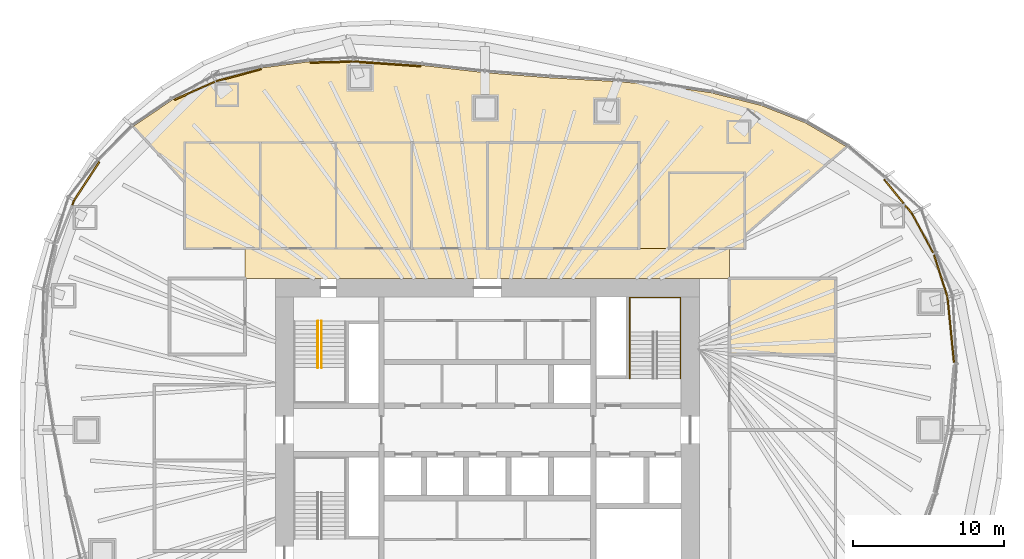
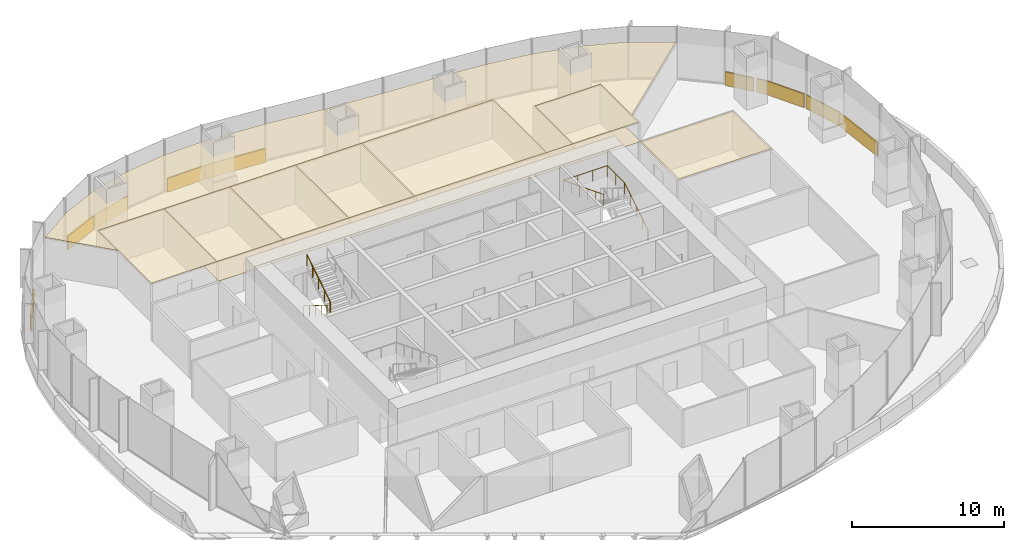
# One storey, part 20 of 20: 20 coverings, 3 railings.
"""IFC4 building model written with IfcOpenShell, lengths in metres."""

from ifc_helpers import new_model, si_unit, direction, frame, origin, origin_2d, place, context, subcontext, project, spatial, polyline, rectangle, circle, outline, extrude, material, layer, layer_set, type_object, element, save


model = new_model("IFC4")

# Units and contexts
model_context = context("Model", 3, precision=1e-05, world=origin(), true_north=direction((0.0, 1.0)))
body_context = subcontext(model_context, "Body", "Model", "MODEL_VIEW")
ifc_project = project(units=[si_unit("LENGTHUNIT", "METRE"), si_unit("AREAUNIT", "SQUARE_METRE"), si_unit("VOLUMEUNIT", "CUBIC_METRE"), si_unit("PLANEANGLEUNIT", "RADIAN"), si_unit("MASSUNIT", "GRAM", prefix="KILO")], contexts=[model_context])

# Site, building, storey
site_placement = place(None, origin())
site = spatial("IfcSite", under=ifc_project, at=site_placement, CompositionType="ELEMENT")
building_placement = place(site_placement, origin())
building = spatial("IfcBuilding", under=site, at=building_placement, Name="Ghaith Harvest Tower", CompositionType="ELEMENT")
storey_placement = place(building_placement, frame((0.0, 0.0, 105.0)))
storey = spatial("IfcBuildingStorey", under=building, at=storey_placement, Name="L21", CompositionType="ELEMENT", Elevation=105.0)

# Coverings
ifc_material_1 = material(Name="Mineral fibre ceiling tile", Category="gypsum")
ifc_layer_1 = layer(ifc_material_1, 0.02001953125)
ifc_layer_set_1 = layer_set([ifc_layer_1], Name="CEILING C1")
covering_type_1 = type_object("IfcCoveringType", Name="CEILING C1", PredefinedType="CEILING", material=ifc_layer_set_1)
covering_1_placement = place(storey_placement, frame((0.0, 0.0, 3.0)))
element("IfcCovering", 1, at=covering_1_placement, inside=storey, type_object=covering_type_1, Name="Ceiling L21-01", PredefinedType="CEILING", context=body_context, shape_type="SweptSolid", body=[
    extrude(outline(polyline([(-20.0, 12.0), (-15.0, 12.0), (-15.0, 19.0), (-20.0, 19.0), (-20.0, 12.0)])), origin(), (0.0, 0.0, 1.0), 0.02001953125),
])
covering_2_placement = place(storey_placement, frame((0.0, 0.0, 3.0)))
element("IfcCovering", 2, at=covering_2_placement, inside=storey, type_object=covering_type_1, Name="Ceiling L21-02", PredefinedType="CEILING", context=body_context, shape_type="SweptSolid", body=[
    extrude(outline(polyline([(-15.0, 12.0), (-10.0, 12.0), (-10.0, 19.0), (-15.0, 19.0), (-15.0, 12.0)])), origin(), (0.0, 0.0, 1.0), 0.02001953125),
])
covering_3_placement = place(storey_placement, frame((0.0, 0.0, 3.0)))
element("IfcCovering", 3, at=covering_3_placement, inside=storey, type_object=covering_type_1, Name="Ceiling L21-03", PredefinedType="CEILING", context=body_context, shape_type="SweptSolid", body=[
    extrude(outline(polyline([(-10.0, 12.0), (-5.0, 12.0), (-5.0, 19.0), (-10.0, 19.0), (-10.0, 12.0)])), origin(), (0.0, 0.0, 1.0), 0.02001953125),
])
covering_4_placement = place(storey_placement, frame((0.0, 0.0, 3.0)))
element("IfcCovering", 4, at=covering_4_placement, inside=storey, type_object=covering_type_1, Name="Ceiling L21-04", PredefinedType="CEILING", context=body_context, shape_type="SweptSolid", body=[
    extrude(outline(polyline([(-5.0, 12.0), (0.0, 12.0), (0.0, 19.0), (-5.0, 19.0), (-5.0, 12.0)])), origin(), (0.0, 0.0, 1.0), 0.02001953125),
])
covering_5_placement = place(storey_placement, frame((0.0, 0.0, 3.0)))
element("IfcCovering", 5, at=covering_5_placement, inside=storey, type_object=covering_type_1, Name="Ceiling L21-05", PredefinedType="CEILING", context=body_context, shape_type="SweptSolid", body=[
    extrude(outline(polyline([(0.0, 12.0), (10.0, 12.0), (10.0, 19.0), (0.0, 19.0), (0.0, 12.0)])), origin(), (0.0, 0.0, 1.0), 0.02001953125),
])
covering_6_placement = place(storey_placement, frame((0.0, 0.0, 3.0)))
element("IfcCovering", 6, at=covering_6_placement, inside=storey, type_object=covering_type_1, Name="Ceiling L21-06", PredefinedType="CEILING", context=body_context, shape_type="SweptSolid", body=[
    extrude(outline(polyline([(12.0, 12.0), (17.0, 12.0), (17.0, 17.0), (12.0, 17.0), (12.0, 12.0)])), origin(), (0.0, 0.0, 1.0), 0.02001953125),
])
covering_7_placement = place(storey_placement, frame((0.0, 0.0, 3.0)))
element("IfcCovering", 7, at=covering_7_placement, inside=storey, type_object=covering_type_1, Name="Ceiling L21-09", PredefinedType="CEILING", context=body_context, shape_type="SweptSolid", body=[
    extrude(outline(polyline([(16.0, 5.0), (23.0, 5.0), (23.0, 10.0), (16.0, 10.0), (16.0, 5.0)])), origin(), (0.0, 0.0, 1.0), 0.02001953125),
])
covering_8_placement = place(storey_placement, frame((0.0, 0.0, 3.0)))
element("IfcCovering", 8, at=covering_8_placement, inside=storey, type_object=covering_type_1, Name="Ceiling L21-C1", PredefinedType="CEILING", context=body_context, shape_type="SweptSolid", body=[
    extrude(outline(polyline([(16.0, 10.0), (-16.0, 10.0), (-16.0, 12.0), (16.0, 12.0), (16.0, 10.0)])), origin(), (0.0, 0.0, 1.0), 0.02001953125),
])
covering_9_placement = place(storey_placement, frame((0.0, 0.0, 3.0)))
element("IfcCovering", 9, at=covering_9_placement, inside=storey, type_object=covering_type_1, Name="Ceiling L21-N1", PredefinedType="CEILING", context=body_context, shape_type="SweptSolid", body=[
    extrude(outline(polyline([(-20.79248046875, 21.82470703125), (-17.938232421875, 23.097412109375), (-14.860595703125, 23.927978515625), (-11.788818359375, 24.331787109375), (-8.814208984375, 24.404541015625), (-4.302001953125, 24.089111328125), (-0.16162109375, 23.609619140625), (4.125732421875, 23.272705078125), (8.604736328125, 23.017333984375), (11.617919921875, 22.757080078125), (14.79833984375, 22.27978515625), (18.0849609375, 21.4462890625), (20.97998046875, 20.3056640625), (23.7275390625, 18.718017578125), (17.0, 12.869384765625), (17.0, 17.0), (12.0, 17.0), (12.0, 12.0), (10.0, 12.0), (10.0, 19.0), (-20.0, 19.0), (-20.0, 16.3583984375), (-23.398193359375, 20.06103515625), (-20.79248046875, 21.82470703125)])), origin(), (0.0, 0.0, 1.0), 0.02001953125),
])

# Railings
ifc_material_2 = material(Name="Steel, black powder-coated", Category="steel")
railing_type = type_object("IfcRailingType", Name="HANDRAIL HR1", PredefinedType="HANDRAIL", material=ifc_material_2)
railing_1_placement = place(storey_placement, frame((-11.199951171875, 7.199951171875, 0.175048828125)))
element("IfcRailing", 10, at=railing_1_placement, inside=storey, type_object=railing_type, Name="Handrail HR1 stair ST1 L21 flight 1 inner", PredefinedType="HANDRAIL", context=body_context, shape_type="SweptSolid", body=[
    extrude(circle(Radius=0.02392578125, at=origin_2d()), frame((0.0, 0.0, 0.8759765625), z_axis=(0.0, -0.847979421464, 0.530029150871), x_axis=(1.0, 0.0, 0.0)), (0.0, 0.0, 1.0), 3.632080078125),
    extrude(circle(Radius=0.02099609375, at=origin_2d()), origin(), (0.0, 0.0, 1.0), 0.851806640625),
    extrude(circle(Radius=0.02099609375, at=origin_2d()), frame((0.0, -0.77001953125, 0.481201171875)), (0.0, 0.0, 1.0), 0.851806640625),
    extrude(circle(Radius=0.02099609375, at=origin_2d()), frame((0.0, -1.5400390625, 0.96240234375)), (0.0, 0.0, 1.0), 0.851806640625),
    extrude(circle(Radius=0.02099609375, at=origin_2d()), frame((0.0, -2.309814453125, 1.44384765625)), (0.0, 0.0, 1.0), 0.851806640625),
    extrude(circle(Radius=0.02099609375, at=origin_2d()), frame((0.0, -3.079833984375, 1.925048828125)), (0.0, 0.0, 1.0), 0.851806640625),
])
railing_2_placement = place(storey_placement, frame((-10.949951171875, 4.1201171875, 2.27490234375)))
element("IfcRailing", 11, at=railing_2_placement, inside=storey, type_object=railing_type, Name="Handrail HR1 stair ST1 L21 flight 2 inner", PredefinedType="HANDRAIL", context=body_context, shape_type="SweptSolid", body=[
    extrude(circle(Radius=0.02392578125, at=origin_2d()), frame((0.0, 0.0, 0.8759765625), z_axis=(0.0, 0.847979421464, 0.530029150871), x_axis=(-1.0, 0.0, 0.0)), (0.0, 0.0, 1.0), 3.632080078125),
    extrude(circle(Radius=0.02099609375, at=origin_2d()), origin(), (0.0, 0.0, 1.0), 0.851806640625),
    extrude(circle(Radius=0.02099609375, at=origin_2d()), frame((0.0, 0.77001953125, 0.481201171875)), (0.0, 0.0, 1.0), 0.851806640625),
    extrude(circle(Radius=0.02099609375, at=origin_2d()), frame((0.0, 1.5400390625, 0.96240234375)), (0.0, 0.0, 1.0), 0.851806640625),
    extrude(circle(Radius=0.02099609375, at=origin_2d()), frame((0.0, 2.309814453125, 1.44384765625)), (0.0, 0.0, 1.0), 0.851806640625),
    extrude(circle(Radius=0.02099609375, at=origin_2d()), frame((0.0, 3.079833984375, 1.925048828125)), (0.0, 0.0, 1.0), 0.851806640625),
])
railing_3_placement = place(storey_placement, frame((12.75, 3.39990234375, 0.175048828125)))
element("IfcRailing", 12, at=railing_3_placement, inside=storey, type_object=railing_type, Name="Handrail HR1 stair ST2 L21 wall side", PredefinedType="HANDRAIL", context=body_context, shape_type="SweptSolid", body=[
    extrude(circle(Radius=0.02392578125, at=origin_2d()), frame((0.0, 0.0, 0.8759765625), z_axis=(0.0, 0.847998304005, 0.529998940003), x_axis=(-1.0, 0.0, 0.0)), (0.0, 0.0, 1.0), 3.632080078125),
    extrude(circle(Radius=0.02392578125, at=origin_2d()), frame((0.0, 3.080078125, 2.80078125), z_axis=(0.0, 1.0, 0.0), x_axis=(-1.0, 0.0, 0.0)), (0.0, 0.0, 1.0), 2.27001953125),
    extrude(circle(Radius=0.02392578125, at=origin_2d()), frame((0.0, 5.35009765625, 2.80078125), z_axis=(-1.0, 0.0, 0.0), x_axis=(0.0, -1.0, 0.0)), (0.0, 0.0, 1.0), 3.35009765625),
    extrude(circle(Radius=0.02392578125, at=origin_2d()), frame((-3.35009765625, 5.35009765625, 2.80078125), z_axis=(0.0, -0.930868132128, 0.365355334692), x_axis=(1.0, 0.0, 0.0)), (0.0, 0.0, 1.0), 5.747314453125),
    extrude(circle(Radius=0.02099609375, at=origin_2d()), origin(), (0.0, 0.0, 1.0), 0.851806640625),
    extrude(circle(Radius=0.02099609375, at=origin_2d()), frame((0.0, 0.77001953125, 0.481201171875)), (0.0, 0.0, 1.0), 0.851806640625),
    extrude(circle(Radius=0.02099609375, at=origin_2d()), frame((0.0, 1.5400390625, 0.96240234375)), (0.0, 0.0, 1.0), 0.851806640625),
    extrude(circle(Radius=0.02099609375, at=origin_2d()), frame((0.0, 2.31005859375, 1.44384765625)), (0.0, 0.0, 1.0), 0.851806640625),
    extrude(circle(Radius=0.02099609375, at=origin_2d()), frame((0.0, 3.080078125, 1.925048828125)), (0.0, 0.0, 1.0), 0.851806640625),
    extrude(circle(Radius=0.02099609375, at=origin_2d()), frame((0.0, 4.215087890625, 1.925048828125)), (0.0, 0.0, 1.0), 0.851806640625),
    extrude(circle(Radius=0.02099609375, at=origin_2d()), frame((0.0, 5.35009765625, 1.925048828125)), (0.0, 0.0, 1.0), 0.851806640625),
    extrude(circle(Radius=0.02099609375, at=origin_2d()), frame((-1.11669921875, 5.35009765625, 1.925048828125)), (0.0, 0.0, 1.0), 0.851806640625),
    extrude(circle(Radius=0.02099609375, at=origin_2d()), frame((-2.2333984375, 5.35009765625, 1.925048828125)), (0.0, 0.0, 1.0), 0.851806640625),
    extrude(circle(Radius=0.02099609375, at=origin_2d()), frame((-3.35009765625, 5.35009765625, 1.925048828125)), (0.0, 0.0, 1.0), 0.851806640625),
    extrude(circle(Radius=0.02099609375, at=origin_2d()), frame((-3.35009765625, 4.280029296875, 2.344970703125)), (0.0, 0.0, 1.0), 0.851806640625),
    extrude(circle(Radius=0.02099609375, at=origin_2d()), frame((-3.35009765625, 3.2099609375, 2.764892578125)), (0.0, 0.0, 1.0), 0.851806640625),
    extrude(circle(Radius=0.02099609375, at=origin_2d()), frame((-3.35009765625, 2.14013671875, 3.18505859375)), (0.0, 0.0, 1.0), 0.851806640625),
    extrude(circle(Radius=0.02099609375, at=origin_2d()), frame((-3.35009765625, 1.070068359375, 3.60498046875)), (0.0, 0.0, 1.0), 0.851806640625),
    extrude(circle(Radius=0.02099609375, at=origin_2d()), frame((-3.35009765625, 0.0, 4.02490234375)), (0.0, 0.0, 1.0), 0.851806640625),
])

# Coverings
ifc_material_3 = material(Name="Insulated aluminium spandrel panel on steel framing", Category="steel")
ifc_layer_2 = layer(ifc_material_3, 0.10009765625)
ifc_layer_set_2 = layer_set([ifc_layer_2], Name="SLAB EDGE UPSTAND 1100x100")
covering_type_2 = type_object("IfcCoveringType", Name="SLAB EDGE UPSTAND 1100x100", PredefinedType="CLADDING", material=ifc_layer_set_2)
covering_10_placement = place(storey_placement, frame((30.604736328125, 6.630126953125, 0.0), z_axis=(0.0, 0.0, 1.0), x_axis=(-0.099131765681, 0.995074315332, 0.0)))
element("IfcCovering", 13, at=covering_10_placement, inside=storey, type_object=covering_type_2, Name="Slab edge upstand 2 bay 01 L21", PredefinedType="CLADDING", context=body_context, shape_type="SweptSolid", body=[
    extrude(rectangle(XDim=4.346435546875, YDim=0.10009765625, at=origin_2d()), origin(), (0.0, 0.0, 1.0), 1.10009765625),
])
covering_11_placement = place(storey_placement, frame((29.948486328125, 10.171875, 0.0), z_axis=(0.0, 0.0, 1.0), x_axis=(-0.303716894855, 0.952762324916, 0.0)))
element("IfcCovering", 14, at=covering_11_placement, inside=storey, type_object=covering_type_2, Name="Slab edge upstand 1 bay 02 L21", PredefinedType="CLADDING", context=body_context, shape_type="SweptSolid", body=[
    extrude(rectangle(XDim=2.916748046875, YDim=0.10009765625, at=origin_2d()), origin(), (0.0, 0.0, 1.0), 1.10009765625),
])
covering_12_placement = place(storey_placement, frame((28.738037109375, 13.018798828125, 0.0), z_axis=(0.0, 0.0, 1.0), x_axis=(-0.475408661811, 0.87976508471, 0.0)))
element("IfcCovering", 15, at=covering_12_placement, inside=storey, type_object=covering_type_2, Name="Slab edge upstand 2 bay 02 L21", PredefinedType="CLADDING", context=body_context, shape_type="SweptSolid", body=[
    extrude(rectangle(XDim=2.91650390625, YDim=0.10009765625, at=origin_2d()), origin(), (0.0, 0.0, 1.0), 1.10009765625),
])
covering_13_placement = place(storey_placement, frame((27.831298828125, 14.5615234375, 0.0), z_axis=(0.0, 0.0, 1.0), x_axis=(-0.632969558548, 0.774176683937, 0.0)))
element("IfcCovering", 16, at=covering_13_placement, inside=storey, type_object=covering_type_2, Name="Slab edge upstand 3 bay 02 L21", PredefinedType="CLADDING", context=body_context, shape_type="SweptSolid", body=[
    extrude(rectangle(XDim=0.69091796875, YDim=0.10009765625, at=origin_2d()), origin(), (0.0, 0.0, 1.0), 1.10009765625),
])
covering_14_placement = place(storey_placement, frame((26.843017578125, 15.770263671875, 0.0), z_axis=(0.0, 0.0, 1.0), x_axis=(-0.632969558548, 0.774176683937, 0.0)))
element("IfcCovering", 17, at=covering_14_placement, inside=storey, type_object=covering_type_2, Name="Slab edge upstand 3 bay 02 L21", PredefinedType="CLADDING", context=body_context, shape_type="SweptSolid", body=[
    extrude(rectangle(XDim=2.01904296875, YDim=0.10009765625, at=origin_2d()), origin(), (0.0, 0.0, 1.0), 1.10009765625),
])
covering_15_placement = place(storey_placement, frame((-6.611572265625, 24.200439453125, 0.0), z_axis=(0.0, 0.0, 1.0), x_axis=(-0.997566199698, 0.069725728542, 0.0)))
element("IfcCovering", 18, at=covering_15_placement, inside=storey, type_object=covering_type_2, Name="Slab edge upstand 2 bay 06 L21", PredefinedType="CLADDING", context=body_context, shape_type="SweptSolid", body=[
    extrude(rectangle(XDim=4.42333984375, YDim=0.10009765625, at=origin_2d()), origin(), (0.0, 0.0, 1.0), 1.10009765625),
])
covering_16_placement = place(storey_placement, frame((-10.25048828125, 24.3193359375, 0.0), z_axis=(0.0, 0.0, 1.0), x_axis=(-0.999700846757, -0.024458474865, 0.0)))
element("IfcCovering", 19, at=covering_16_placement, inside=storey, type_object=covering_type_2, Name="Slab edge upstand 1 bay 07 L21", PredefinedType="CLADDING", context=body_context, shape_type="SweptSolid", body=[
    extrude(rectangle(XDim=2.87548828125, YDim=0.10009765625, at=origin_2d()), origin(), (0.0, 0.0, 1.0), 1.10009765625),
])
covering_17_placement = place(storey_placement, frame((-16.4345703125, 23.451416015625, 0.0), z_axis=(0.0, 0.0, 1.0), x_axis=(-0.965455035926, -0.260569709685, 0.0)))
element("IfcCovering", 20, at=covering_17_placement, inside=storey, type_object=covering_type_2, Name="Slab edge upstand 3 bay 07 L21", PredefinedType="CLADDING", context=body_context, shape_type="SweptSolid", body=[
    extrude(rectangle(XDim=3.087890625, YDim=0.10009765625, at=origin_2d()), origin(), (0.0, 0.0, 1.0), 1.10009765625),
])
covering_18_placement = place(storey_placement, frame((-19.356689453125, 22.410400390625, 0.0), z_axis=(0.0, 0.0, 1.0), x_axis=(-0.913334621001, -0.40720986, 0.0)))
element("IfcCovering", 21, at=covering_18_placement, inside=storey, type_object=covering_type_2, Name="Slab edge upstand 1 bay 08 L21", PredefinedType="CLADDING", context=body_context, shape_type="SweptSolid", body=[
    extrude(rectangle(XDim=2.89990234375, YDim=0.10009765625, at=origin_2d()), origin(), (0.0, 0.0, 1.0), 1.10009765625),
])
covering_19_placement = place(storey_placement, frame((-26.464599609375, 16.4462890625, 0.0), z_axis=(0.0, 0.0, 1.0), x_axis=(-0.548312211554, -0.836273710373, 0.0)))
element("IfcCovering", 22, at=covering_19_placement, inside=storey, type_object=covering_type_2, Name="Slab edge upstand 1 bay 09 L21", PredefinedType="CLADDING", context=body_context, shape_type="SweptSolid", body=[
    extrude(rectangle(XDim=3.03466796875, YDim=0.10009765625, at=origin_2d()), origin(), (0.0, 0.0, 1.0), 1.10009765625),
])
covering_20_placement = place(storey_placement, frame((-27.3544921875, 15.030517578125, 0.0), z_axis=(0.0, 0.0, 1.0), x_axis=(-0.372732078847, -0.927939005215, 0.0)))
element("IfcCovering", 23, at=covering_20_placement, inside=storey, type_object=covering_type_2, Name="Slab edge upstand 2 bay 09 L21", PredefinedType="CLADDING", context=body_context, shape_type="SweptSolid", body=[
    extrude(rectangle(XDim=0.3359375, YDim=0.10009765625, at=origin_2d()), origin(), (0.0, 0.0, 1.0), 1.10009765625),
])

save(model, "model.ifc")
